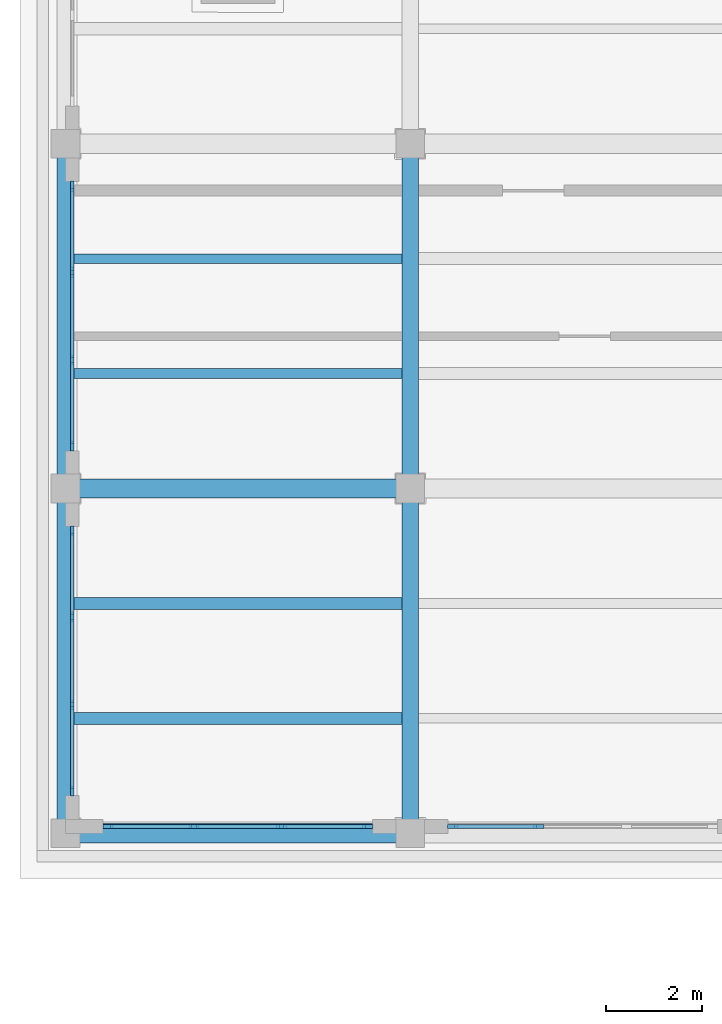
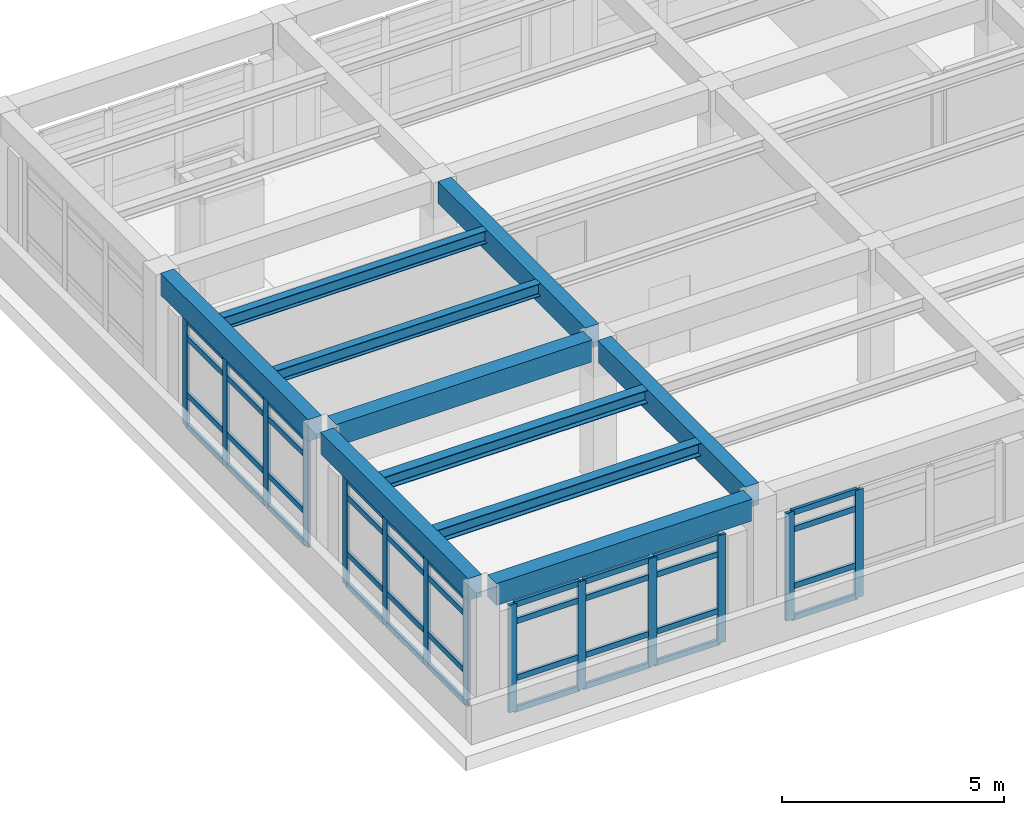
# One storey, part 2 of 19: 54 members, 10 beams, 4 elements without a shape of their own.
"""IFC4 building model written with IfcOpenShell, lengths in metres."""

from ifc_helpers import new_model, si_unit, direction, frame, origin, origin_2d, place, context, subcontext, project, spatial, rectangle, i_section, extrude, material, layer, layer_set, material_profile, profile_set, type_object, element, aggregate, save


model = new_model("IFC4")

# Units and contexts
model_context = context("Model", 3, precision=1e-05, world=origin(), true_north=direction((0.0, 1.0)))
body_context = subcontext(model_context, "Body", "Model", "MODEL_VIEW")
ifc_project = project(units=[si_unit("LENGTHUNIT", "METRE"), si_unit("AREAUNIT", "SQUARE_METRE"), si_unit("VOLUMEUNIT", "CUBIC_METRE"), si_unit("PLANEANGLEUNIT", "RADIAN"), si_unit("MASSUNIT", "GRAM", prefix="KILO")], contexts=[model_context])

# Site, building, storey
site_placement = place(None, origin())
site = spatial("IfcSite", under=ifc_project, at=site_placement, CompositionType="ELEMENT")
building_placement = place(site_placement, origin())
building = spatial("IfcBuilding", under=site, at=building_placement, Name="Solenvale Faculty of Natural Sciences", CompositionType="ELEMENT")
storey_placement = place(building_placement, frame((0.0, 0.0, 27.0)))
storey = spatial("IfcBuildingStorey", under=building, at=storey_placement, Name="L06", CompositionType="ELEMENT", Elevation=27.0)

# Beams
ifc_material_1 = material(Name="Concrete 40 MPa", Category="concrete")
ifc_material_profile_1 = material_profile(ifc_material_1, rectangle(XDim=0.35009765625, YDim=0.60009765625, at=origin_2d()), Name="RC-BM-350x600")
ifc_profile_set_1 = profile_set([ifc_material_profile_1], Name="Concrete 40 MPa")
beam_type_1 = type_object("IfcBeamType", Name="BM-RC-350x600", PredefinedType="BEAM", material=ifc_profile_set_1)
beam_1_placement = place(storey_placement, frame((79.199951171875, 93.8798828125, 3.6201171875), z_axis=(0.0, 1.0, 0.0), x_axis=(-1.0, 0.0, 0.0)))
element("IfcBeam", 1, at=beam_1_placement, inside=storey, type_object=beam_type_1, Name="L06 Y-Girder X79.2 (93.6..100.8)", PredefinedType="BEAM", context=body_context, shape_type="SweptSolid", body=[
    extrude(rectangle(XDim=0.35009765625, YDim=0.60009765625, at=origin_2d()), origin(), (0.0, 0.0, 1.0), 6.64013671875),
])
beam_2_placement = place(storey_placement, frame((79.199951171875, 101.080078125, 3.6201171875), z_axis=(0.0, 1.0, 0.0), x_axis=(-1.0, 0.0, 0.0)))
element("IfcBeam", 2, at=beam_2_placement, inside=storey, type_object=beam_type_1, Name="L06 Y-Girder X79.2 (100.8..108.0)", PredefinedType="BEAM", context=body_context, shape_type="SweptSolid", body=[
    extrude(rectangle(XDim=0.35009765625, YDim=0.60009765625, at=origin_2d()), origin(), (0.0, 0.0, 1.0), 6.639892578125),
])
beam_3_placement = place(storey_placement, frame((86.39990234375, 93.8798828125, 3.6201171875), z_axis=(0.0, 1.0, 0.0), x_axis=(-1.0, 0.0, 0.0)))
element("IfcBeam", 3, at=beam_3_placement, inside=storey, type_object=beam_type_1, Name="L06 Y-Girder X86.4 (93.6..100.8)", PredefinedType="BEAM", context=body_context, shape_type="SweptSolid", body=[
    extrude(rectangle(XDim=0.35009765625, YDim=0.60009765625, at=origin_2d()), origin(), (0.0, 0.0, 1.0), 6.64013671875),
])
beam_4_placement = place(storey_placement, frame((86.39990234375, 101.080078125, 3.6201171875), z_axis=(0.0, 1.0, 0.0), x_axis=(-1.0, 0.0, 0.0)))
element("IfcBeam", 4, at=beam_4_placement, inside=storey, type_object=beam_type_1, Name="L06 Y-Girder X86.4 (100.8..108.0)", PredefinedType="BEAM", context=body_context, shape_type="SweptSolid", body=[
    extrude(rectangle(XDim=0.35009765625, YDim=0.60009765625, at=origin_2d()), origin(), (0.0, 0.0, 1.0), 6.639892578125),
])
ifc_material_profile_2 = material_profile(ifc_material_1, rectangle(XDim=0.39990234375, YDim=0.60009765625, at=origin_2d()), Name="RC-BM-400x600")
ifc_profile_set_2 = profile_set([ifc_material_profile_2], Name="Concrete 40 MPa")
beam_type_2 = type_object("IfcBeamType", Name="BM-RC-400x600", PredefinedType="BEAM", material=ifc_profile_set_2)
for number, where, z_axis, x_axis, name in (
    (5, (79.47998046875, 93.60009765625, 3.6201171875), (1.0, 0.0, 0.0), (0.0, 1.0, 0.0), "L06 X-Girder Y93.6 (79.2..86.4)"),
    (6, (79.47998046875, 100.800048828125, 3.6201171875), (1.0, 0.0, 0.0), (0.0, 1.0, 0.0), "L06 X-Girder Y100.8 (79.2..86.4)"),
):
    element("IfcBeam", number, at=place(storey_placement, frame(where, z_axis=z_axis, x_axis=x_axis)), inside=storey, type_object=beam_type_2, Name=name, PredefinedType="BEAM", context=body_context, shape_type="SweptSolid", body=[
        extrude(rectangle(XDim=0.39990234375, YDim=0.60009765625, at=origin_2d()), origin(), (0.0, 0.0, 1.0), 6.64013671875),
    ])
ifc_material_2 = material(Name="Steel S355", Category="steel")
ifc_material_profile_3 = material_profile(ifc_material_2, i_section(OverallWidth=0.2548828125, OverallDepth=0.35693359375, WebThickness=0.010498046875, FlangeThickness=0.018310546875, FilletRadius=0.014892578125, at=origin_2d()), Name="W360x101")
ifc_profile_set_3 = profile_set([ifc_material_profile_3], Name="Steel S355")
beam_type_3 = type_object("IfcBeamType", Name="BM-STL-W360x101", PredefinedType="JOIST", material=ifc_profile_set_3)
for number, where, z_axis, x_axis, name in (
    (7, (79.35498046875, 96.0, 3.741455078125), (1.0, 0.0, 0.0), (0.0, 1.0, 0.0), "L06 Composite Floor Joist (12,14).1"),
    (8, (79.35498046875, 98.39990234375, 3.741455078125), (1.0, 0.0, 0.0), (0.0, 1.0, 0.0), "L06 Composite Floor Joist (12,14).2"),
):
    element("IfcBeam", number, at=place(storey_placement, frame(where, z_axis=z_axis, x_axis=x_axis)), inside=storey, type_object=beam_type_3, Name=name, PredefinedType="JOIST", context=body_context, shape_type="SweptSolid", body=[
        extrude(i_section(OverallWidth=0.2548828125, OverallDepth=0.35693359375, WebThickness=0.010498046875, FlangeThickness=0.018310546875, FilletRadius=0.014892578125, at=origin_2d()), origin(), (0.0, 0.0, 1.0), 6.89013671875),
    ])
ifc_material_profile_4 = material_profile(ifc_material_2, i_section(OverallWidth=0.2041015625, OverallDepth=0.35009765625, WebThickness=0.008544921875, FlangeThickness=0.01513671875, FilletRadius=0.014892578125, at=origin_2d()), Name="W360x72")
ifc_profile_set_4 = profile_set([ifc_material_profile_4], Name="Steel S355")
beam_type_4 = type_object("IfcBeamType", Name="BM-STL-W360x72", PredefinedType="JOIST", material=ifc_profile_set_4)
for number, where, z_axis, x_axis, name in (
    (9, (79.35498046875, 103.199951171875, 3.7451171875), (1.0, 0.0, 0.0), (0.0, 1.0, 0.0), "L06 Composite Floor Joist (12,15).1"),
    (10, (79.35498046875, 105.60009765625, 3.7451171875), (1.0, 0.0, 0.0), (0.0, 1.0, 0.0), "L06 Composite Floor Joist (12,15).2"),
):
    element("IfcBeam", number, at=place(storey_placement, frame(where, z_axis=z_axis, x_axis=x_axis)), inside=storey, type_object=beam_type_4, Name=name, PredefinedType="JOIST", context=body_context, shape_type="SweptSolid", body=[
        extrude(i_section(OverallWidth=0.2041015625, OverallDepth=0.35009765625, WebThickness=0.008544921875, FlangeThickness=0.01513671875, FilletRadius=0.014892578125, at=origin_2d()), origin(), (0.0, 0.0, 1.0), 6.89013671875),
    ])

# Curtain wall, members
ifc_material_3 = material(Name="Anodised bronze aluminium", Category="aluminium")
ifc_layer = layer(ifc_material_3, 0.179931640625)
ifc_layer_set = layer_set([ifc_layer], Name="Anodised bronze aluminium")
curtain_wall_type = type_object("IfcCurtainWallType", Name="CW-TWR-MOD", PredefinedType="USERDEFINED", material=ifc_layer_set)
curtain_wall_1_placement = place(storey_placement, origin())
curtain_wall_1 = element("IfcCurtainWall", 11, at=curtain_wall_1_placement, inside=storey, type_object=curtain_wall_type, Name="L06 Curtain Wall CW-L06-P1-E3-B2", ObjectType="UNITISED CURTAIN WALL", PredefinedType="USERDEFINED")
ifc_material_profile_5 = material_profile(ifc_material_3, rectangle(XDim=0.074951171875, YDim=0.2099609375, at=origin_2d()), Name="ALU-MUL-75x210")
ifc_profile_set_5 = profile_set([ifc_material_profile_5], Name="Anodised bronze aluminium")
member_type_1 = type_object("IfcMemberType", Name="CWM-ALU-75x210", PredefinedType="MULLION", material=ifc_profile_set_5)
member_1_placement = place(storey_placement, frame((79.342529296875, 107.112548828125, 0.0), z_axis=(0.0, 0.0, 1.0), x_axis=(1.0, 0.0, 0.0)))
member_1 = element("IfcMember", 12, at=member_1_placement, type_object=member_type_1, Name="CW-04 mullion 1", PredefinedType="MULLION", context=body_context, shape_type="SweptSolid", body=[
    extrude(rectangle(XDim=0.074951171875, YDim=0.2099609375, at=origin_2d()), origin(), (0.0, 0.0, 1.0), 2.9599609375),
])
member_2_placement = place(storey_placement, frame((79.342529296875, 105.316650390625, 0.0), z_axis=(0.0, 0.0, 1.0), x_axis=(1.0, 0.0, 0.0)))
member_2 = element("IfcMember", 13, at=member_2_placement, type_object=member_type_1, Name="CW-04 mullion 2", PredefinedType="MULLION", context=body_context, shape_type="SweptSolid", body=[
    extrude(rectangle(XDim=0.074951171875, YDim=0.2099609375, at=origin_2d()), origin(), (0.0, 0.0, 1.0), 2.9599609375),
])
member_3_placement = place(storey_placement, frame((79.342529296875, 103.4833984375, 0.0), z_axis=(0.0, 0.0, 1.0), x_axis=(1.0, 0.0, 0.0)))
member_3 = element("IfcMember", 14, at=member_3_placement, type_object=member_type_1, Name="CW-04 mullion 3", PredefinedType="MULLION", context=body_context, shape_type="SweptSolid", body=[
    extrude(rectangle(XDim=0.074951171875, YDim=0.2099609375, at=origin_2d()), origin(), (0.0, 0.0, 1.0), 2.9599609375),
])
member_4_placement = place(storey_placement, frame((79.342529296875, 101.6875, 0.0), z_axis=(0.0, 0.0, 1.0), x_axis=(1.0, 0.0, 0.0)))
member_4 = element("IfcMember", 15, at=member_4_placement, type_object=member_type_1, Name="CW-04 mullion 4", PredefinedType="MULLION", context=body_context, shape_type="SweptSolid", body=[
    extrude(rectangle(XDim=0.074951171875, YDim=0.2099609375, at=origin_2d()), origin(), (0.0, 0.0, 1.0), 2.9599609375),
])

curtain_wall_2_placement = place(storey_placement, origin())
curtain_wall_2 = element("IfcCurtainWall", 16, at=curtain_wall_2_placement, inside=storey, type_object=curtain_wall_type, Name="L06 Curtain Wall CW-L06-P1-E3-B3", ObjectType="UNITISED CURTAIN WALL", PredefinedType="USERDEFINED")
member_5_placement = place(storey_placement, frame((79.342529296875, 99.91259765625, 0.0), z_axis=(0.0, 0.0, 1.0), x_axis=(1.0, 0.0, 0.0)))
member_5 = element("IfcMember", 17, at=member_5_placement, type_object=member_type_1, Name="CW-04 mullion 1", PredefinedType="MULLION", context=body_context, shape_type="SweptSolid", body=[
    extrude(rectangle(XDim=0.074951171875, YDim=0.2099609375, at=origin_2d()), origin(), (0.0, 0.0, 1.0), 2.9599609375),
])
member_6_placement = place(storey_placement, frame((79.342529296875, 98.11669921875, 0.0), z_axis=(0.0, 0.0, 1.0), x_axis=(1.0, 0.0, 0.0)))
member_6 = element("IfcMember", 18, at=member_6_placement, type_object=member_type_1, Name="CW-04 mullion 2", PredefinedType="MULLION", context=body_context, shape_type="SweptSolid", body=[
    extrude(rectangle(XDim=0.074951171875, YDim=0.2099609375, at=origin_2d()), origin(), (0.0, 0.0, 1.0), 2.9599609375),
])
member_7_placement = place(storey_placement, frame((79.342529296875, 96.283447265625, 0.0), z_axis=(0.0, 0.0, 1.0), x_axis=(1.0, 0.0, 0.0)))
member_7 = element("IfcMember", 19, at=member_7_placement, type_object=member_type_1, Name="CW-04 mullion 3", PredefinedType="MULLION", context=body_context, shape_type="SweptSolid", body=[
    extrude(rectangle(XDim=0.074951171875, YDim=0.2099609375, at=origin_2d()), origin(), (0.0, 0.0, 1.0), 2.9599609375),
])
member_8_placement = place(storey_placement, frame((79.342529296875, 94.487548828125, 0.0), z_axis=(0.0, 0.0, 1.0), x_axis=(1.0, 0.0, 0.0)))
member_8 = element("IfcMember", 20, at=member_8_placement, type_object=member_type_1, Name="CW-04 mullion 4", PredefinedType="MULLION", context=body_context, shape_type="SweptSolid", body=[
    extrude(rectangle(XDim=0.074951171875, YDim=0.2099609375, at=origin_2d()), origin(), (0.0, 0.0, 1.0), 2.9599609375),
])

curtain_wall_3_placement = place(storey_placement, origin())
curtain_wall_3 = element("IfcCurtainWall", 21, at=curtain_wall_3_placement, inside=storey, type_object=curtain_wall_type, Name="L06 Curtain Wall CW-L06-P1-E4-B1", ObjectType="UNITISED CURTAIN WALL", PredefinedType="USERDEFINED")
member_9_placement = place(storey_placement, frame((80.08740234375, 93.742431640625, 0.0), z_axis=(0.0, 0.0, 1.0), x_axis=(0.0, 1.0, 0.0)))
member_9 = element("IfcMember", 22, at=member_9_placement, type_object=member_type_1, Name="CW-04 mullion 1", PredefinedType="MULLION", context=body_context, shape_type="SweptSolid", body=[
    extrude(rectangle(XDim=0.074951171875, YDim=0.2099609375, at=origin_2d()), origin(), (0.0, 0.0, 1.0), 2.9599609375),
])
member_10_placement = place(storey_placement, frame((81.88330078125, 93.742431640625, 0.0), z_axis=(0.0, 0.0, 1.0), x_axis=(0.0, 1.0, 0.0)))
member_10 = element("IfcMember", 23, at=member_10_placement, type_object=member_type_1, Name="CW-04 mullion 2", PredefinedType="MULLION", context=body_context, shape_type="SweptSolid", body=[
    extrude(rectangle(XDim=0.074951171875, YDim=0.2099609375, at=origin_2d()), origin(), (0.0, 0.0, 1.0), 2.9599609375),
])
member_11_placement = place(storey_placement, frame((83.716552734375, 93.742431640625, 0.0), z_axis=(0.0, 0.0, 1.0), x_axis=(0.0, 1.0, 0.0)))
member_11 = element("IfcMember", 24, at=member_11_placement, type_object=member_type_1, Name="CW-04 mullion 3", PredefinedType="MULLION", context=body_context, shape_type="SweptSolid", body=[
    extrude(rectangle(XDim=0.074951171875, YDim=0.2099609375, at=origin_2d()), origin(), (0.0, 0.0, 1.0), 2.9599609375),
])
member_12_placement = place(storey_placement, frame((85.512451171875, 93.742431640625, 0.0), z_axis=(0.0, 0.0, 1.0), x_axis=(0.0, 1.0, 0.0)))
member_12 = element("IfcMember", 25, at=member_12_placement, type_object=member_type_1, Name="CW-04 mullion 4", PredefinedType="MULLION", context=body_context, shape_type="SweptSolid", body=[
    extrude(rectangle(XDim=0.074951171875, YDim=0.2099609375, at=origin_2d()), origin(), (0.0, 0.0, 1.0), 2.9599609375),
])

curtain_wall_4_placement = place(storey_placement, origin())
curtain_wall_4 = element("IfcCurtainWall", 26, at=curtain_wall_4_placement, inside=storey, type_object=curtain_wall_type, Name="L06 Curtain Wall CW-L06-P1-E4-B2", ObjectType="UNITISED CURTAIN WALL", PredefinedType="USERDEFINED")
member_13_placement = place(storey_placement, frame((87.28759765625, 93.742431640625, 0.0), z_axis=(0.0, 0.0, 1.0), x_axis=(0.0, 1.0, 0.0)))
member_13 = element("IfcMember", 27, at=member_13_placement, type_object=member_type_1, Name="CW-04 mullion 1", PredefinedType="MULLION", context=body_context, shape_type="SweptSolid", body=[
    extrude(rectangle(XDim=0.074951171875, YDim=0.2099609375, at=origin_2d()), origin(), (0.0, 0.0, 1.0), 2.9599609375),
])
member_14_placement = place(storey_placement, frame((89.083251953125, 93.742431640625, 0.0), z_axis=(0.0, 0.0, 1.0), x_axis=(0.0, 1.0, 0.0)))
member_14 = element("IfcMember", 28, at=member_14_placement, type_object=member_type_1, Name="CW-04 mullion 2", PredefinedType="MULLION", context=body_context, shape_type="SweptSolid", body=[
    extrude(rectangle(XDim=0.074951171875, YDim=0.2099609375, at=origin_2d()), origin(), (0.0, 0.0, 1.0), 2.9599609375),
])

# Member
ifc_material_profile_6 = material_profile(ifc_material_3, rectangle(XDim=0.074951171875, YDim=0.155029296875, at=origin_2d()), Name="ALU-TRN-75x155")
ifc_profile_set_6 = profile_set([ifc_material_profile_6], Name="Anodised bronze aluminium")
member_type_2 = type_object("IfcMemberType", Name="CWT-ALU-75x155", PredefinedType="USERDEFINED", material=ifc_profile_set_6)
member_15_placement = place(storey_placement, frame((79.342529296875, 107.074951171875, 0.03759765625), z_axis=(0.0, -1.0, 0.0), x_axis=(1.0, 0.0, 0.0)))
member_15 = element("IfcMember", 29, at=member_15_placement, type_object=member_type_2, Name="CW-04 transom 1.1", ObjectType="TRANSOM", PredefinedType="USERDEFINED", context=body_context, shape_type="SweptSolid", body=[
    extrude(rectangle(XDim=0.074951171875, YDim=0.155029296875, at=origin_2d()), origin(), (0.0, 0.0, 1.0), 1.720703125),
])

member_16_placement = place(storey_placement, frame((79.342529296875, 107.074951171875, 0.89990234375), z_axis=(0.0, -1.0, 0.0), x_axis=(1.0, 0.0, 0.0)))
member_16 = element("IfcMember", 30, at=member_16_placement, type_object=member_type_2, Name="CW-04 transom 1.2", ObjectType="TRANSOM", PredefinedType="USERDEFINED", context=body_context, shape_type="SweptSolid", body=[
    extrude(rectangle(XDim=0.074951171875, YDim=0.155029296875, at=origin_2d()), origin(), (0.0, 0.0, 1.0), 1.720703125),
])

member_17_placement = place(storey_placement, frame((79.342529296875, 107.074951171875, 2.4599609375), z_axis=(0.0, -1.0, 0.0), x_axis=(1.0, 0.0, 0.0)))
member_17 = element("IfcMember", 31, at=member_17_placement, type_object=member_type_2, Name="CW-04 transom 1.3", ObjectType="TRANSOM", PredefinedType="USERDEFINED", context=body_context, shape_type="SweptSolid", body=[
    extrude(rectangle(XDim=0.074951171875, YDim=0.155029296875, at=origin_2d()), origin(), (0.0, 0.0, 1.0), 1.720703125),
])

member_18_placement = place(storey_placement, frame((79.342529296875, 107.074951171875, 2.922607421875), z_axis=(0.0, -1.0, 0.0), x_axis=(1.0, 0.0, 0.0)))
member_18 = element("IfcMember", 32, at=member_18_placement, type_object=member_type_2, Name="CW-04 transom 1.4", ObjectType="TRANSOM", PredefinedType="USERDEFINED", context=body_context, shape_type="SweptSolid", body=[
    extrude(rectangle(XDim=0.074951171875, YDim=0.155029296875, at=origin_2d()), origin(), (0.0, 0.0, 1.0), 1.720703125),
])

member_19_placement = place(storey_placement, frame((79.342529296875, 105.279052734375, 0.03759765625), z_axis=(0.0, -1.0, 0.0), x_axis=(1.0, 0.0, 0.0)))
member_19 = element("IfcMember", 33, at=member_19_placement, type_object=member_type_2, Name="CW-04 transom 2.1", ObjectType="TRANSOM", PredefinedType="USERDEFINED", context=body_context, shape_type="SweptSolid", body=[
    extrude(rectangle(XDim=0.074951171875, YDim=0.155029296875, at=origin_2d()), origin(), (0.0, 0.0, 1.0), 1.75830078125),
])

member_20_placement = place(storey_placement, frame((79.342529296875, 105.279052734375, 0.89990234375), z_axis=(0.0, -1.0, 0.0), x_axis=(1.0, 0.0, 0.0)))
member_20 = element("IfcMember", 34, at=member_20_placement, type_object=member_type_2, Name="CW-04 transom 2.2", ObjectType="TRANSOM", PredefinedType="USERDEFINED", context=body_context, shape_type="SweptSolid", body=[
    extrude(rectangle(XDim=0.074951171875, YDim=0.155029296875, at=origin_2d()), origin(), (0.0, 0.0, 1.0), 1.75830078125),
])

member_21_placement = place(storey_placement, frame((79.342529296875, 105.279052734375, 2.4599609375), z_axis=(0.0, -1.0, 0.0), x_axis=(1.0, 0.0, 0.0)))
member_21 = element("IfcMember", 35, at=member_21_placement, type_object=member_type_2, Name="CW-04 transom 2.3", ObjectType="TRANSOM", PredefinedType="USERDEFINED", context=body_context, shape_type="SweptSolid", body=[
    extrude(rectangle(XDim=0.074951171875, YDim=0.155029296875, at=origin_2d()), origin(), (0.0, 0.0, 1.0), 1.75830078125),
])

member_22_placement = place(storey_placement, frame((79.342529296875, 105.279052734375, 2.922607421875), z_axis=(0.0, -1.0, 0.0), x_axis=(1.0, 0.0, 0.0)))
member_22 = element("IfcMember", 36, at=member_22_placement, type_object=member_type_2, Name="CW-04 transom 2.4", ObjectType="TRANSOM", PredefinedType="USERDEFINED", context=body_context, shape_type="SweptSolid", body=[
    extrude(rectangle(XDim=0.074951171875, YDim=0.155029296875, at=origin_2d()), origin(), (0.0, 0.0, 1.0), 1.75830078125),
])

member_23_placement = place(storey_placement, frame((79.342529296875, 103.44580078125, 0.03759765625), z_axis=(0.0, -1.0, 0.0), x_axis=(1.0, 0.0, 0.0)))
member_23 = element("IfcMember", 37, at=member_23_placement, type_object=member_type_2, Name="CW-04 transom 3.1", ObjectType="TRANSOM", PredefinedType="USERDEFINED", context=body_context, shape_type="SweptSolid", body=[
    extrude(rectangle(XDim=0.074951171875, YDim=0.155029296875, at=origin_2d()), origin(), (0.0, 0.0, 1.0), 1.720703125),
])

member_24_placement = place(storey_placement, frame((79.342529296875, 103.44580078125, 0.89990234375), z_axis=(0.0, -1.0, 0.0), x_axis=(1.0, 0.0, 0.0)))
member_24 = element("IfcMember", 38, at=member_24_placement, type_object=member_type_2, Name="CW-04 transom 3.2", ObjectType="TRANSOM", PredefinedType="USERDEFINED", context=body_context, shape_type="SweptSolid", body=[
    extrude(rectangle(XDim=0.074951171875, YDim=0.155029296875, at=origin_2d()), origin(), (0.0, 0.0, 1.0), 1.720703125),
])

member_25_placement = place(storey_placement, frame((79.342529296875, 103.44580078125, 2.4599609375), z_axis=(0.0, -1.0, 0.0), x_axis=(1.0, 0.0, 0.0)))
member_25 = element("IfcMember", 39, at=member_25_placement, type_object=member_type_2, Name="CW-04 transom 3.3", ObjectType="TRANSOM", PredefinedType="USERDEFINED", context=body_context, shape_type="SweptSolid", body=[
    extrude(rectangle(XDim=0.074951171875, YDim=0.155029296875, at=origin_2d()), origin(), (0.0, 0.0, 1.0), 1.720703125),
])

member_26_placement = place(storey_placement, frame((79.342529296875, 103.44580078125, 2.922607421875), z_axis=(0.0, -1.0, 0.0), x_axis=(1.0, 0.0, 0.0)))
member_26 = element("IfcMember", 40, at=member_26_placement, type_object=member_type_2, Name="CW-04 transom 3.4", ObjectType="TRANSOM", PredefinedType="USERDEFINED", context=body_context, shape_type="SweptSolid", body=[
    extrude(rectangle(XDim=0.074951171875, YDim=0.155029296875, at=origin_2d()), origin(), (0.0, 0.0, 1.0), 1.720703125),
])

aggregate(curtain_wall_1, [member_1, member_2, member_3, member_4, member_15, member_16, member_17, member_18, member_19, member_20, member_21, member_22, member_23, member_24, member_25, member_26])

member_27_placement = place(storey_placement, frame((79.342529296875, 99.875, 0.03759765625), z_axis=(0.0, -1.0, 0.0), x_axis=(1.0, 0.0, 0.0)))
member_27 = element("IfcMember", 41, at=member_27_placement, type_object=member_type_2, Name="CW-04 transom 1.1", ObjectType="TRANSOM", PredefinedType="USERDEFINED", context=body_context, shape_type="SweptSolid", body=[
    extrude(rectangle(XDim=0.074951171875, YDim=0.155029296875, at=origin_2d()), origin(), (0.0, 0.0, 1.0), 1.720947265625),
])

member_28_placement = place(storey_placement, frame((79.342529296875, 99.875, 0.89990234375), z_axis=(0.0, -1.0, 0.0), x_axis=(1.0, 0.0, 0.0)))
member_28 = element("IfcMember", 42, at=member_28_placement, type_object=member_type_2, Name="CW-04 transom 1.2", ObjectType="TRANSOM", PredefinedType="USERDEFINED", context=body_context, shape_type="SweptSolid", body=[
    extrude(rectangle(XDim=0.074951171875, YDim=0.155029296875, at=origin_2d()), origin(), (0.0, 0.0, 1.0), 1.720947265625),
])

member_29_placement = place(storey_placement, frame((79.342529296875, 99.875, 2.4599609375), z_axis=(0.0, -1.0, 0.0), x_axis=(1.0, 0.0, 0.0)))
member_29 = element("IfcMember", 43, at=member_29_placement, type_object=member_type_2, Name="CW-04 transom 1.3", ObjectType="TRANSOM", PredefinedType="USERDEFINED", context=body_context, shape_type="SweptSolid", body=[
    extrude(rectangle(XDim=0.074951171875, YDim=0.155029296875, at=origin_2d()), origin(), (0.0, 0.0, 1.0), 1.720947265625),
])

member_30_placement = place(storey_placement, frame((79.342529296875, 99.875, 2.922607421875), z_axis=(0.0, -1.0, 0.0), x_axis=(1.0, 0.0, 0.0)))
member_30 = element("IfcMember", 44, at=member_30_placement, type_object=member_type_2, Name="CW-04 transom 1.4", ObjectType="TRANSOM", PredefinedType="USERDEFINED", context=body_context, shape_type="SweptSolid", body=[
    extrude(rectangle(XDim=0.074951171875, YDim=0.155029296875, at=origin_2d()), origin(), (0.0, 0.0, 1.0), 1.720947265625),
])

member_31_placement = place(storey_placement, frame((79.342529296875, 98.0791015625, 0.03759765625), z_axis=(0.0, -1.0, 0.0), x_axis=(1.0, 0.0, 0.0)))
member_31 = element("IfcMember", 45, at=member_31_placement, type_object=member_type_2, Name="CW-04 transom 2.1", ObjectType="TRANSOM", PredefinedType="USERDEFINED", context=body_context, shape_type="SweptSolid", body=[
    extrude(rectangle(XDim=0.074951171875, YDim=0.155029296875, at=origin_2d()), origin(), (0.0, 0.0, 1.0), 1.75830078125),
])

member_32_placement = place(storey_placement, frame((79.342529296875, 98.0791015625, 0.89990234375), z_axis=(0.0, -1.0, 0.0), x_axis=(1.0, 0.0, 0.0)))
member_32 = element("IfcMember", 46, at=member_32_placement, type_object=member_type_2, Name="CW-04 transom 2.2", ObjectType="TRANSOM", PredefinedType="USERDEFINED", context=body_context, shape_type="SweptSolid", body=[
    extrude(rectangle(XDim=0.074951171875, YDim=0.155029296875, at=origin_2d()), origin(), (0.0, 0.0, 1.0), 1.75830078125),
])

member_33_placement = place(storey_placement, frame((79.342529296875, 98.0791015625, 2.4599609375), z_axis=(0.0, -1.0, 0.0), x_axis=(1.0, 0.0, 0.0)))
member_33 = element("IfcMember", 47, at=member_33_placement, type_object=member_type_2, Name="CW-04 transom 2.3", ObjectType="TRANSOM", PredefinedType="USERDEFINED", context=body_context, shape_type="SweptSolid", body=[
    extrude(rectangle(XDim=0.074951171875, YDim=0.155029296875, at=origin_2d()), origin(), (0.0, 0.0, 1.0), 1.75830078125),
])

member_34_placement = place(storey_placement, frame((79.342529296875, 98.0791015625, 2.922607421875), z_axis=(0.0, -1.0, 0.0), x_axis=(1.0, 0.0, 0.0)))
member_34 = element("IfcMember", 48, at=member_34_placement, type_object=member_type_2, Name="CW-04 transom 2.4", ObjectType="TRANSOM", PredefinedType="USERDEFINED", context=body_context, shape_type="SweptSolid", body=[
    extrude(rectangle(XDim=0.074951171875, YDim=0.155029296875, at=origin_2d()), origin(), (0.0, 0.0, 1.0), 1.75830078125),
])

member_35_placement = place(storey_placement, frame((79.342529296875, 96.245849609375, 0.03759765625), z_axis=(0.0, -1.0, 0.0), x_axis=(1.0, 0.0, 0.0)))
member_35 = element("IfcMember", 49, at=member_35_placement, type_object=member_type_2, Name="CW-04 transom 3.1", ObjectType="TRANSOM", PredefinedType="USERDEFINED", context=body_context, shape_type="SweptSolid", body=[
    extrude(rectangle(XDim=0.074951171875, YDim=0.155029296875, at=origin_2d()), origin(), (0.0, 0.0, 1.0), 1.720947265625),
])

member_36_placement = place(storey_placement, frame((79.342529296875, 96.245849609375, 0.89990234375), z_axis=(0.0, -1.0, 0.0), x_axis=(1.0, 0.0, 0.0)))
member_36 = element("IfcMember", 50, at=member_36_placement, type_object=member_type_2, Name="CW-04 transom 3.2", ObjectType="TRANSOM", PredefinedType="USERDEFINED", context=body_context, shape_type="SweptSolid", body=[
    extrude(rectangle(XDim=0.074951171875, YDim=0.155029296875, at=origin_2d()), origin(), (0.0, 0.0, 1.0), 1.720947265625),
])

member_37_placement = place(storey_placement, frame((79.342529296875, 96.245849609375, 2.4599609375), z_axis=(0.0, -1.0, 0.0), x_axis=(1.0, 0.0, 0.0)))
member_37 = element("IfcMember", 51, at=member_37_placement, type_object=member_type_2, Name="CW-04 transom 3.3", ObjectType="TRANSOM", PredefinedType="USERDEFINED", context=body_context, shape_type="SweptSolid", body=[
    extrude(rectangle(XDim=0.074951171875, YDim=0.155029296875, at=origin_2d()), origin(), (0.0, 0.0, 1.0), 1.720947265625),
])

member_38_placement = place(storey_placement, frame((79.342529296875, 96.245849609375, 2.922607421875), z_axis=(0.0, -1.0, 0.0), x_axis=(1.0, 0.0, 0.0)))
member_38 = element("IfcMember", 52, at=member_38_placement, type_object=member_type_2, Name="CW-04 transom 3.4", ObjectType="TRANSOM", PredefinedType="USERDEFINED", context=body_context, shape_type="SweptSolid", body=[
    extrude(rectangle(XDim=0.074951171875, YDim=0.155029296875, at=origin_2d()), origin(), (0.0, 0.0, 1.0), 1.720947265625),
])

aggregate(curtain_wall_2, [member_5, member_6, member_7, member_8, member_27, member_28, member_29, member_30, member_31, member_32, member_33, member_34, member_35, member_36, member_37, member_38])

member_39_placement = place(storey_placement, frame((80.125, 93.742431640625, 0.03759765625), z_axis=(1.0, 0.0, 0.0), x_axis=(0.0, 1.0, 0.0)))
member_39 = element("IfcMember", 53, at=member_39_placement, type_object=member_type_2, Name="CW-04 transom 1.1", ObjectType="TRANSOM", PredefinedType="USERDEFINED", context=body_context, shape_type="SweptSolid", body=[
    extrude(rectangle(XDim=0.074951171875, YDim=0.155029296875, at=origin_2d()), origin(), (0.0, 0.0, 1.0), 1.720947265625),
])

member_40_placement = place(storey_placement, frame((80.125, 93.742431640625, 0.89990234375), z_axis=(1.0, 0.0, 0.0), x_axis=(0.0, 1.0, 0.0)))
member_40 = element("IfcMember", 54, at=member_40_placement, type_object=member_type_2, Name="CW-04 transom 1.2", ObjectType="TRANSOM", PredefinedType="USERDEFINED", context=body_context, shape_type="SweptSolid", body=[
    extrude(rectangle(XDim=0.074951171875, YDim=0.155029296875, at=origin_2d()), origin(), (0.0, 0.0, 1.0), 1.720947265625),
])

member_41_placement = place(storey_placement, frame((80.125, 93.742431640625, 2.4599609375), z_axis=(1.0, 0.0, 0.0), x_axis=(0.0, 1.0, 0.0)))
member_41 = element("IfcMember", 55, at=member_41_placement, type_object=member_type_2, Name="CW-04 transom 1.3", ObjectType="TRANSOM", PredefinedType="USERDEFINED", context=body_context, shape_type="SweptSolid", body=[
    extrude(rectangle(XDim=0.074951171875, YDim=0.155029296875, at=origin_2d()), origin(), (0.0, 0.0, 1.0), 1.720947265625),
])

member_42_placement = place(storey_placement, frame((80.125, 93.742431640625, 2.922607421875), z_axis=(1.0, 0.0, 0.0), x_axis=(0.0, 1.0, 0.0)))
member_42 = element("IfcMember", 56, at=member_42_placement, type_object=member_type_2, Name="CW-04 transom 1.4", ObjectType="TRANSOM", PredefinedType="USERDEFINED", context=body_context, shape_type="SweptSolid", body=[
    extrude(rectangle(XDim=0.074951171875, YDim=0.155029296875, at=origin_2d()), origin(), (0.0, 0.0, 1.0), 1.720947265625),
])

member_43_placement = place(storey_placement, frame((81.9208984375, 93.742431640625, 0.03759765625), z_axis=(1.0, 0.0, 0.0), x_axis=(0.0, 1.0, 0.0)))
member_43 = element("IfcMember", 57, at=member_43_placement, type_object=member_type_2, Name="CW-04 transom 2.1", ObjectType="TRANSOM", PredefinedType="USERDEFINED", context=body_context, shape_type="SweptSolid", body=[
    extrude(rectangle(XDim=0.074951171875, YDim=0.155029296875, at=origin_2d()), origin(), (0.0, 0.0, 1.0), 1.75830078125),
])

member_44_placement = place(storey_placement, frame((81.9208984375, 93.742431640625, 0.89990234375), z_axis=(1.0, 0.0, 0.0), x_axis=(0.0, 1.0, 0.0)))
member_44 = element("IfcMember", 58, at=member_44_placement, type_object=member_type_2, Name="CW-04 transom 2.2", ObjectType="TRANSOM", PredefinedType="USERDEFINED", context=body_context, shape_type="SweptSolid", body=[
    extrude(rectangle(XDim=0.074951171875, YDim=0.155029296875, at=origin_2d()), origin(), (0.0, 0.0, 1.0), 1.75830078125),
])

member_45_placement = place(storey_placement, frame((81.9208984375, 93.742431640625, 2.4599609375), z_axis=(1.0, 0.0, 0.0), x_axis=(0.0, 1.0, 0.0)))
member_45 = element("IfcMember", 59, at=member_45_placement, type_object=member_type_2, Name="CW-04 transom 2.3", ObjectType="TRANSOM", PredefinedType="USERDEFINED", context=body_context, shape_type="SweptSolid", body=[
    extrude(rectangle(XDim=0.074951171875, YDim=0.155029296875, at=origin_2d()), origin(), (0.0, 0.0, 1.0), 1.75830078125),
])

member_46_placement = place(storey_placement, frame((81.9208984375, 93.742431640625, 2.922607421875), z_axis=(1.0, 0.0, 0.0), x_axis=(0.0, 1.0, 0.0)))
member_46 = element("IfcMember", 60, at=member_46_placement, type_object=member_type_2, Name="CW-04 transom 2.4", ObjectType="TRANSOM", PredefinedType="USERDEFINED", context=body_context, shape_type="SweptSolid", body=[
    extrude(rectangle(XDim=0.074951171875, YDim=0.155029296875, at=origin_2d()), origin(), (0.0, 0.0, 1.0), 1.75830078125),
])

member_47_placement = place(storey_placement, frame((83.754150390625, 93.742431640625, 0.03759765625), z_axis=(1.0, 0.0, 0.0), x_axis=(0.0, 1.0, 0.0)))
member_47 = element("IfcMember", 61, at=member_47_placement, type_object=member_type_2, Name="CW-04 transom 3.1", ObjectType="TRANSOM", PredefinedType="USERDEFINED", context=body_context, shape_type="SweptSolid", body=[
    extrude(rectangle(XDim=0.074951171875, YDim=0.155029296875, at=origin_2d()), origin(), (0.0, 0.0, 1.0), 1.720947265625),
])

member_48_placement = place(storey_placement, frame((83.754150390625, 93.742431640625, 0.89990234375), z_axis=(1.0, 0.0, 0.0), x_axis=(0.0, 1.0, 0.0)))
member_48 = element("IfcMember", 62, at=member_48_placement, type_object=member_type_2, Name="CW-04 transom 3.2", ObjectType="TRANSOM", PredefinedType="USERDEFINED", context=body_context, shape_type="SweptSolid", body=[
    extrude(rectangle(XDim=0.074951171875, YDim=0.155029296875, at=origin_2d()), origin(), (0.0, 0.0, 1.0), 1.720947265625),
])

member_49_placement = place(storey_placement, frame((83.754150390625, 93.742431640625, 2.4599609375), z_axis=(1.0, 0.0, 0.0), x_axis=(0.0, 1.0, 0.0)))
member_49 = element("IfcMember", 63, at=member_49_placement, type_object=member_type_2, Name="CW-04 transom 3.3", ObjectType="TRANSOM", PredefinedType="USERDEFINED", context=body_context, shape_type="SweptSolid", body=[
    extrude(rectangle(XDim=0.074951171875, YDim=0.155029296875, at=origin_2d()), origin(), (0.0, 0.0, 1.0), 1.720947265625),
])

member_50_placement = place(storey_placement, frame((83.754150390625, 93.742431640625, 2.922607421875), z_axis=(1.0, 0.0, 0.0), x_axis=(0.0, 1.0, 0.0)))
member_50 = element("IfcMember", 64, at=member_50_placement, type_object=member_type_2, Name="CW-04 transom 3.4", ObjectType="TRANSOM", PredefinedType="USERDEFINED", context=body_context, shape_type="SweptSolid", body=[
    extrude(rectangle(XDim=0.074951171875, YDim=0.155029296875, at=origin_2d()), origin(), (0.0, 0.0, 1.0), 1.720947265625),
])

aggregate(curtain_wall_3, [member_9, member_10, member_11, member_12, member_39, member_40, member_41, member_42, member_43, member_44, member_45, member_46, member_47, member_48, member_49, member_50])

member_51_placement = place(storey_placement, frame((87.324951171875, 93.742431640625, 0.03759765625), z_axis=(1.0, 0.0, 0.0), x_axis=(0.0, 1.0, 0.0)))
member_51 = element("IfcMember", 65, at=member_51_placement, type_object=member_type_2, Name="CW-04 transom 1.1", ObjectType="TRANSOM", PredefinedType="USERDEFINED", context=body_context, shape_type="SweptSolid", body=[
    extrude(rectangle(XDim=0.074951171875, YDim=0.155029296875, at=origin_2d()), origin(), (0.0, 0.0, 1.0), 1.720947265625),
])

member_52_placement = place(storey_placement, frame((87.324951171875, 93.742431640625, 0.89990234375), z_axis=(1.0, 0.0, 0.0), x_axis=(0.0, 1.0, 0.0)))
member_52 = element("IfcMember", 66, at=member_52_placement, type_object=member_type_2, Name="CW-04 transom 1.2", ObjectType="TRANSOM", PredefinedType="USERDEFINED", context=body_context, shape_type="SweptSolid", body=[
    extrude(rectangle(XDim=0.074951171875, YDim=0.155029296875, at=origin_2d()), origin(), (0.0, 0.0, 1.0), 1.720947265625),
])

member_53_placement = place(storey_placement, frame((87.324951171875, 93.742431640625, 2.4599609375), z_axis=(1.0, 0.0, 0.0), x_axis=(0.0, 1.0, 0.0)))
member_53 = element("IfcMember", 67, at=member_53_placement, type_object=member_type_2, Name="CW-04 transom 1.3", ObjectType="TRANSOM", PredefinedType="USERDEFINED", context=body_context, shape_type="SweptSolid", body=[
    extrude(rectangle(XDim=0.074951171875, YDim=0.155029296875, at=origin_2d()), origin(), (0.0, 0.0, 1.0), 1.720947265625),
])

member_54_placement = place(storey_placement, frame((87.324951171875, 93.742431640625, 2.922607421875), z_axis=(1.0, 0.0, 0.0), x_axis=(0.0, 1.0, 0.0)))
member_54 = element("IfcMember", 68, at=member_54_placement, type_object=member_type_2, Name="CW-04 transom 1.4", ObjectType="TRANSOM", PredefinedType="USERDEFINED", context=body_context, shape_type="SweptSolid", body=[
    extrude(rectangle(XDim=0.074951171875, YDim=0.155029296875, at=origin_2d()), origin(), (0.0, 0.0, 1.0), 1.720947265625),
])

aggregate(curtain_wall_4, [member_13, member_14, member_51, member_52, member_53, member_54])

save(model, "model.ifc")
